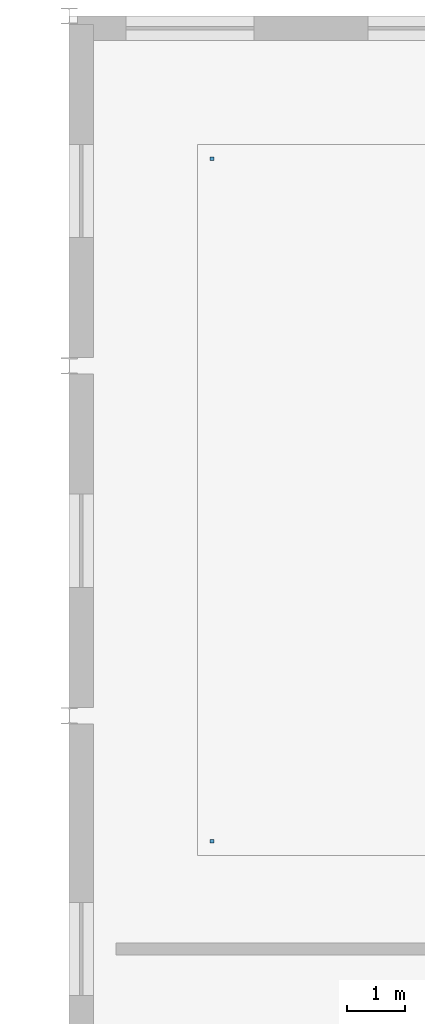
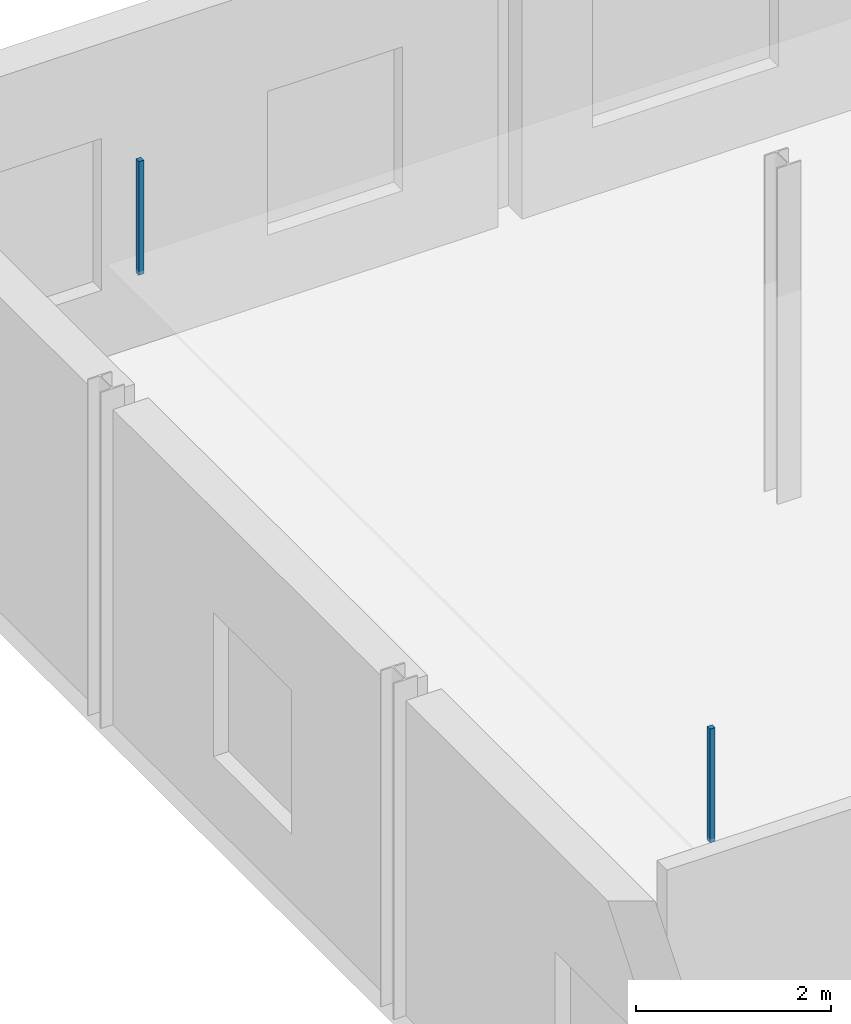
# One storey, part 99 of 124: 2 discrete accessories.
"""IFC4 building model written with IfcOpenShell, lengths in metres."""

from ifc_helpers import new_model, si_unit, direction, frame, origin, origin_2d, place, context, subcontext, project, spatial, rectangle, extrude, material, type_object, element, save


model = new_model("IFC4")

# Units and contexts
model_context = context("Model", 3, precision=1e-05, world=origin(), true_north=direction((0.0, 1.0)))
body_context = subcontext(model_context, "Body", "Model", "MODEL_VIEW")
ifc_project = project(units=[si_unit("LENGTHUNIT", "METRE"), si_unit("AREAUNIT", "SQUARE_METRE"), si_unit("VOLUMEUNIT", "CUBIC_METRE"), si_unit("PLANEANGLEUNIT", "RADIAN"), si_unit("MASSUNIT", "GRAM", prefix="KILO")], contexts=[model_context])

# Site, building, storey
site_placement = place(None, origin())
site = spatial("IfcSite", under=ifc_project, at=site_placement, CompositionType="ELEMENT")
building_placement = place(site_placement, origin())
building = spatial("IfcBuilding", under=site, at=building_placement, Name="Sundkrona Museum", CompositionType="ELEMENT")
storey_placement = place(building_placement, frame((0.0, 0.0, 17.60009765625)))
storey = spatial("IfcBuildingStorey", under=building, at=storey_placement, Name="L03", CompositionType="ELEMENT", Elevation=17.60009765625)

# Discrete accessories
ifc_material = material(Name="Stainless Steel EN 1.4404 Cleat", Category="steel")
discrete_accessory_type = type_object("IfcDiscreteAccessoryType", Name="BRK-FIN-01", PredefinedType="BRACKET", material=ifc_material)
for number, where, z_axis, x_axis, name in (
    (1, (106.449951171875, 99.85009765625, 2.550048828125), (0.0, 0.0, 1.0), (1.0, 0.0, 0.0), "L03 Molecular Conservation Laboratory Ceiling Hanger 1"),
    (2, (106.449951171875, 111.550048828125, 2.550048828125), (0.0, 0.0, 1.0), (1.0, 0.0, 0.0), "L03 Molecular Conservation Laboratory Ceiling Hanger 4"),
):
    element("IfcDiscreteAccessory", number, at=place(storey_placement, frame(where, z_axis=z_axis, x_axis=x_axis)), inside=storey, type_object=discrete_accessory_type, Name=name, PredefinedType="BRACKET", context=body_context, shape_type="SweptSolid", body=[
        extrude(rectangle(XDim=0.06005859375, YDim=0.06005859375, at=origin_2d()), origin(), (0.0, 0.0, 1.0), 1.419921875),
    ])

save(model, "model.ifc")
